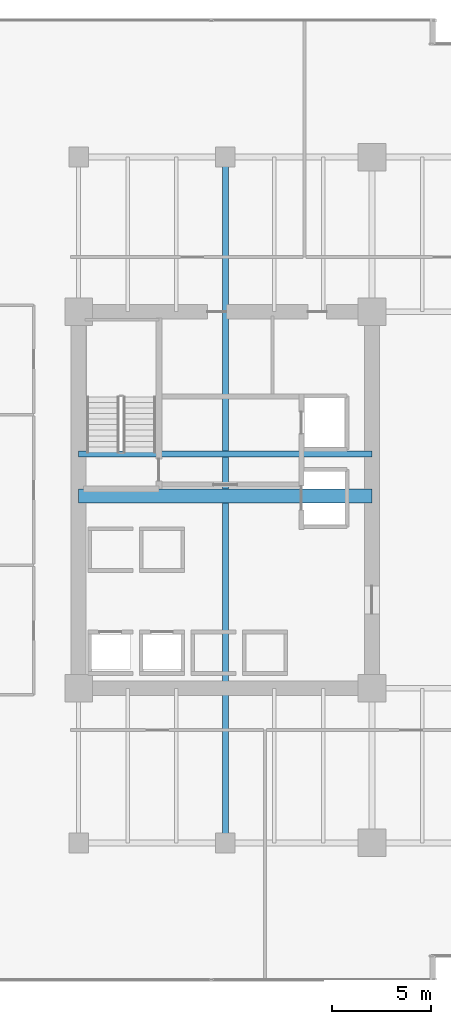
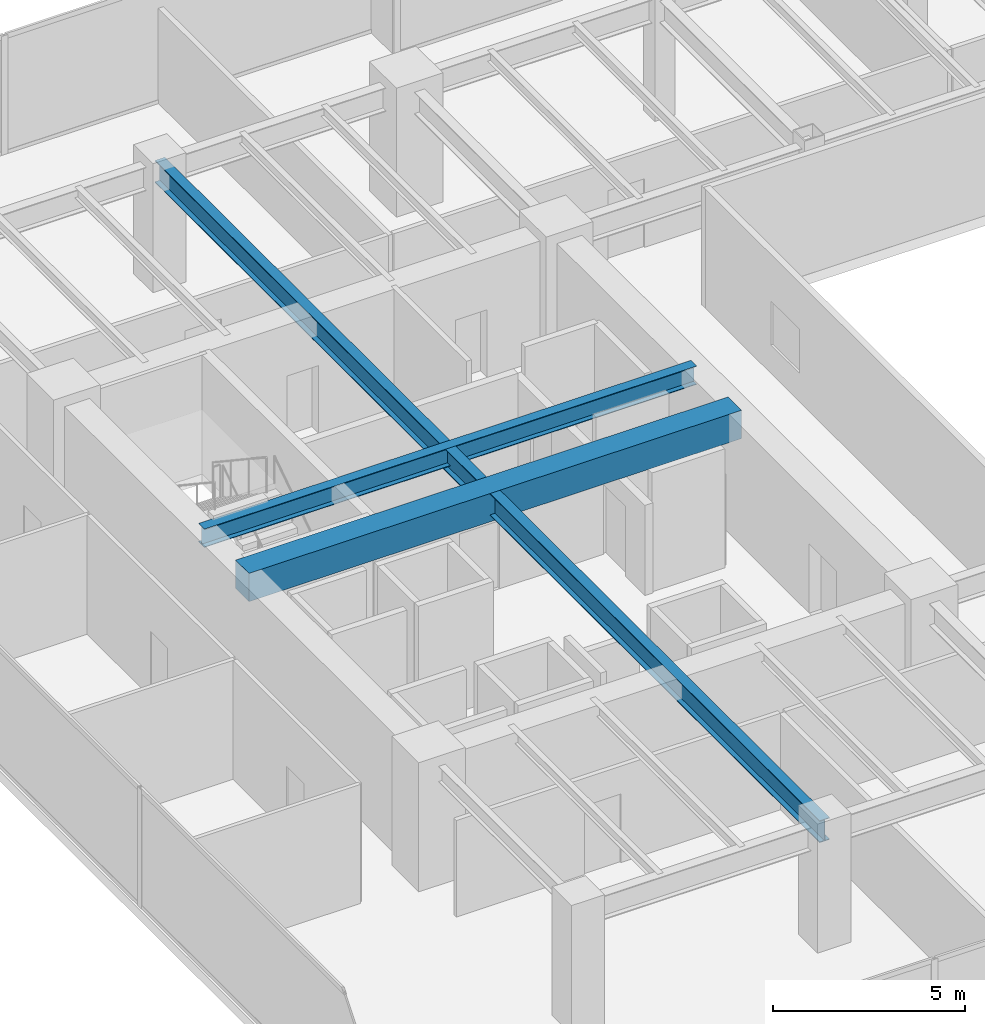
# One storey, part 7 of 35: 3 beams.
"""IFC4 building model written with IfcOpenShell, lengths in metres."""

from ifc_helpers import new_model, si_unit, direction, frame, origin, origin_2d, place, context, subcontext, project, spatial, rectangle, i_section, extrude, source, transform, mapped, material, material_profile, profile_set, type_object, type_shapes, element, save


model = new_model("IFC4")

# Units and contexts
model_context = context("Model", 3, precision=1e-05, world=origin(), true_north=direction((0.0, 1.0)))
body_context = subcontext(model_context, "Body", "Model", "MODEL_VIEW")
ifc_project = project(units=[si_unit("LENGTHUNIT", "METRE"), si_unit("AREAUNIT", "SQUARE_METRE"), si_unit("VOLUMEUNIT", "CUBIC_METRE"), si_unit("PLANEANGLEUNIT", "RADIAN"), si_unit("MASSUNIT", "GRAM", prefix="KILO")], contexts=[model_context])

# Site, building, storey
site_placement = place(None, origin())
site = spatial("IfcSite", under=ifc_project, at=site_placement, CompositionType="ELEMENT")
building_placement = place(site_placement, origin())
building = spatial("IfcBuilding", under=site, at=building_placement, Name="Haelvirn Gate Laboratories", CompositionType="ELEMENT")
storey_placement = place(building_placement, frame((0.0, 0.0, 58.0)))
storey = spatial("IfcBuildingStorey", under=building, at=storey_placement, Name="L14", CompositionType="ELEMENT", Elevation=58.0)

# Beams
ifc_material_1 = material(Name="Concrete C60/75", Category="concrete")
ifc_material_profile_1 = material_profile(ifc_material_1, rectangle(XDim=0.699951171875, YDim=0.89990234375, at=origin_2d()), Name="RCB-700x900")
ifc_profile_set_1 = profile_set([ifc_material_profile_1], Name="Concrete C60/75")
beam_type_1 = type_object("IfcBeamType", Name="BM-RCB-900", PredefinedType="LINTEL", material=ifc_profile_set_1)
shared_shape_1 = source(origin(), body_context, "Body", "SweptSolid", [
    extrude(rectangle(XDim=0.699951171875, YDim=0.89990234375, at=origin_2d()), origin(), (0.0, 0.0, 1.0), 14.800048828125),
])
type_shapes(beam_type_1, [shared_shape_1])
beam_1_placement = place(storey_placement, frame((7.39990234375, 24.5, 3.330078125), z_axis=(1.0, 0.0, 0.0), x_axis=(0.0, 1.0, 0.0)))
element("IfcBeam", 1, at=beam_1_placement, inside=storey, type_object=beam_type_1, Name="L14 West Core Coupling Beam", PredefinedType="LINTEL", context=body_context, shape_type="MappedRepresentation", body=[
    mapped(shared_shape_1, transform((0.0, 0.0, 0.0), scale=1.0)),
])
ifc_material_2 = material(Name="Steel SM355", Category="steel")
ifc_material_profile_2 = material_profile(ifc_material_2, i_section(OverallWidth=0.300048828125, OverallDepth=0.587890625, WebThickness=0.011962890625, FlangeThickness=0.02001953125, at=origin_2d()), Name="H-588x300x12x20")
ifc_profile_set_2 = profile_set([ifc_material_profile_2], Name="Steel SM355")
beam_type_2 = type_object("IfcBeamType", Name="BM-G-588", PredefinedType="BEAM", material=ifc_profile_set_2)
shared_shape_2 = source(origin(), body_context, "Body", "SweptSolid", [
    extrude(i_section(OverallWidth=0.300048828125, OverallDepth=0.587890625, WebThickness=0.011962890625, FlangeThickness=0.02001953125, at=origin_2d()), origin(), (0.0, 0.0, 1.0), 14.800048828125),
])
type_shapes(beam_type_2, [shared_shape_2])
beam_2_placement = place(storey_placement, frame((7.39990234375, 26.6201171875, 3.486083984375), z_axis=(1.0, 0.0, 0.0), x_axis=(0.0, 1.0, 0.0)))
element("IfcBeam", 2, at=beam_2_placement, inside=storey, type_object=beam_type_2, Name="L14 Stair ST1 Landing Header", PredefinedType="BEAM", context=body_context, shape_type="MappedRepresentation", body=[
    mapped(shared_shape_2, transform((0.0, 0.0, 0.0), scale=1.0)),
])
ifc_material_profile_3 = material_profile(ifc_material_2, i_section(OverallWidth=0.300048828125, OverallDepth=0.699951171875, WebThickness=0.012939453125, FlangeThickness=0.02392578125, at=origin_2d()), Name="H-700x300x13x24")
ifc_profile_set_3 = profile_set([ifc_material_profile_3], Name="Steel SM355")
beam_type_3 = type_object("IfcBeamType", Name="BM-G-700", PredefinedType="BEAM", material=ifc_profile_set_3)
shared_shape_3 = source(origin(), body_context, "Body", "SweptSolid", [
    extrude(i_section(OverallWidth=0.300048828125, OverallDepth=0.699951171875, WebThickness=0.012939453125, FlangeThickness=0.02392578125, at=origin_2d()), origin(), (0.0, 0.0, 1.0), 34.60009765625),
])
type_shapes(beam_type_3, [shared_shape_3])
beam_3_placement = place(storey_placement, frame((14.800048828125, 7.0, 3.429931640625), z_axis=(0.0, 1.0, 0.0), x_axis=(-1.0, 0.0, 0.0)))
element("IfcBeam", 3, at=beam_3_placement, inside=storey, type_object=beam_type_3, Name="L14 Frame Girder X14.8 (7.0-41.6)", PredefinedType="BEAM", context=body_context, shape_type="MappedRepresentation", body=[
    mapped(shared_shape_3, transform((0.0, 0.0, 0.0), scale=1.0)),
])

save(model, "model.ifc")
